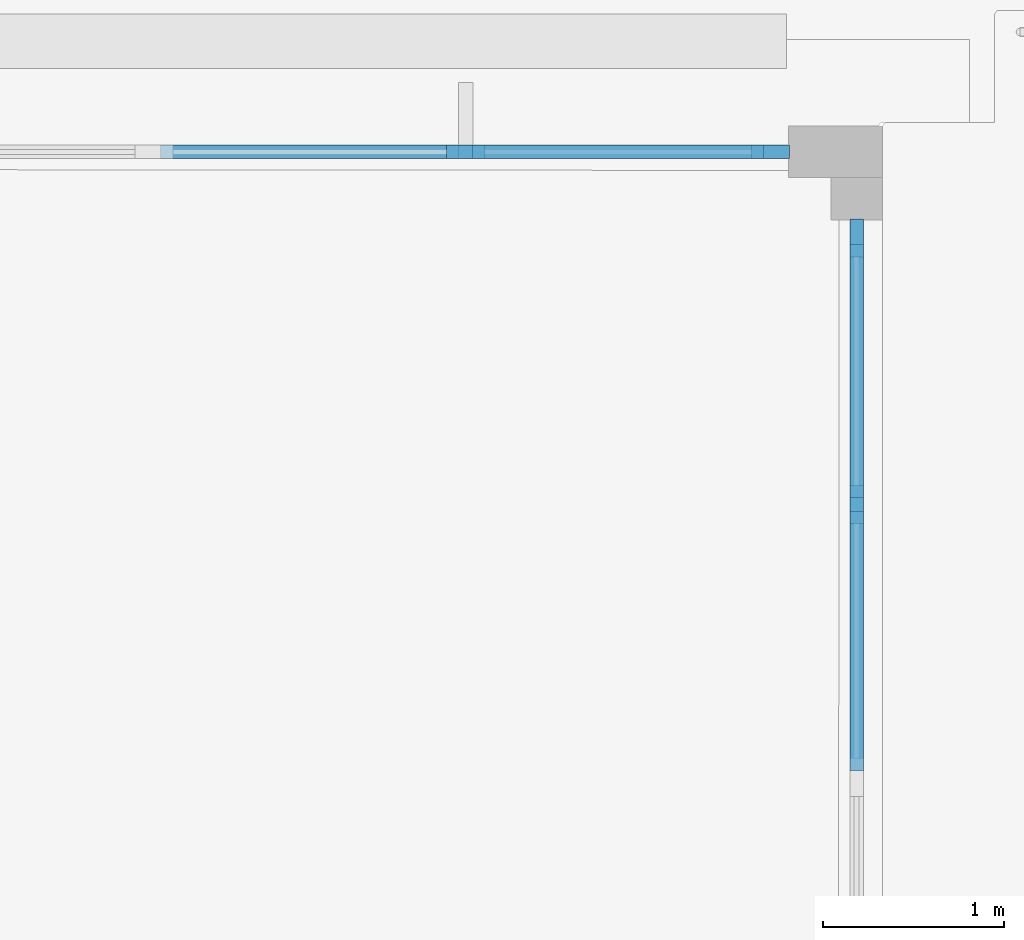
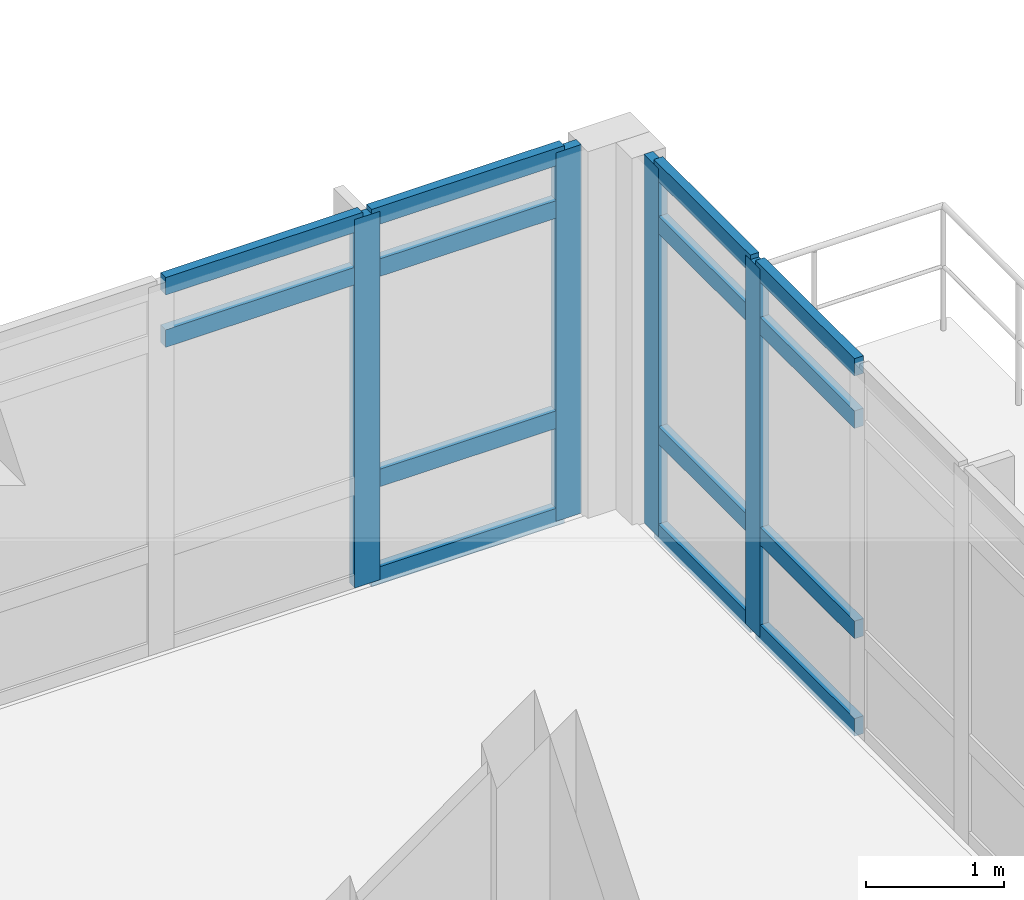
# One storey, part 19 of 67: 18 members, 2 elements without a shape of their own.
"""IFC4 building model written with IfcOpenShell, lengths in metres."""

from ifc_helpers import new_model, si_unit, direction, frame, origin, origin_2d, place, context, subcontext, project, spatial, rectangle, extrude, material, layer, layer_set, material_profile, profile_set, type_object, element, aggregate, save


model = new_model("IFC4")

# Units and contexts
model_context = context("Model", 3, precision=1e-05, world=origin(), true_north=direction((0.0, 1.0)))
body_context = subcontext(model_context, "Body", "Model", "MODEL_VIEW")
ifc_project = project(units=[si_unit("LENGTHUNIT", "METRE"), si_unit("AREAUNIT", "SQUARE_METRE"), si_unit("VOLUMEUNIT", "CUBIC_METRE"), si_unit("PLANEANGLEUNIT", "RADIAN"), si_unit("MASSUNIT", "GRAM", prefix="KILO")], contexts=[model_context])

# Site, building, storey
site_placement = place(None, origin())
site = spatial("IfcSite", under=ifc_project, at=site_placement, CompositionType="ELEMENT")
building_placement = place(site_placement, origin())
building = spatial("IfcBuilding", under=site, at=building_placement, Name="Solenvale Faculty of Natural Sciences", CompositionType="ELEMENT")
storey_placement = place(building_placement, frame((0.0, 0.0, 13.5)))
storey = spatial("IfcBuildingStorey", under=building, at=storey_placement, Name="L03", CompositionType="ELEMENT", Elevation=13.5)

# Curtain wall, members
ifc_material = material(Name="Anodised bronze aluminium", Category="aluminium")
ifc_layer = layer(ifc_material, 0.199951171875)
ifc_layer_set = layer_set([ifc_layer], Name="Anodised bronze aluminium")
curtain_wall_type = type_object("IfcCurtainWallType", Name="CW-COM-FIN", PredefinedType="USERDEFINED", material=ifc_layer_set)
curtain_wall_1_placement = place(storey_placement, origin())
curtain_wall_1 = element("IfcCurtainWall", 1, at=curtain_wall_1_placement, inside=storey, type_object=curtain_wall_type, Name="L03 Curtain Wall CW-L03-P2-E2-B2", ObjectType="UNITISED CURTAIN WALL", PredefinedType="USERDEFINED")
ifc_material_profile_1 = material_profile(ifc_material, rectangle(XDim=0.074951171875, YDim=0.2099609375, at=origin_2d()), Name="ALU-MUL-75x210")
ifc_profile_set_1 = profile_set([ifc_material_profile_1], Name="Anodised bronze aluminium")
member_type_1 = type_object("IfcMemberType", Name="CWM-ALU-75x210", PredefinedType="MULLION", material=ifc_profile_set_1)
member_1_placement = place(storey_placement, frame((157.657470703125, 55.510009765625, 0.0), z_axis=(0.0, 0.0, 1.0), x_axis=(-1.0, 0.0, 0.0)))
member_1 = element("IfcMember", 2, at=member_1_placement, type_object=member_type_1, Name="CW-03 mullion 4", PredefinedType="MULLION", context=body_context, shape_type="SweptSolid", body=[
    extrude(rectangle(XDim=0.074951171875, YDim=0.2099609375, at=origin_2d()), origin(), (0.0, 0.0, 1.0), 3.260009765625),
])
member_2_placement = place(storey_placement, frame((157.657470703125, 56.982421875, 0.0), z_axis=(0.0, 0.0, 1.0), x_axis=(-1.0, 0.0, 0.0)))
member_2 = element("IfcMember", 3, at=member_2_placement, type_object=member_type_1, Name="CW-03 mullion 5", PredefinedType="MULLION", context=body_context, shape_type="SweptSolid", body=[
    extrude(rectangle(XDim=0.074951171875, YDim=0.2099609375, at=origin_2d()), origin(), (0.0, 0.0, 1.0), 3.260009765625),
])

curtain_wall_2_placement = place(storey_placement, origin())
curtain_wall_2 = element("IfcCurtainWall", 4, at=curtain_wall_2_placement, inside=storey, type_object=curtain_wall_type, Name="L03 Curtain Wall CW-L03-P2-E3-B1", ObjectType="UNITISED CURTAIN WALL", PredefinedType="USERDEFINED")
member_3_placement = place(storey_placement, frame((157.1826171875, 57.45751953125, 0.0), z_axis=(0.0, 0.0, 1.0), x_axis=(0.0, -1.0, 0.0)))
member_3 = element("IfcMember", 5, at=member_3_placement, type_object=member_type_1, Name="CW-03 mullion 1", PredefinedType="MULLION", context=body_context, shape_type="SweptSolid", body=[
    extrude(rectangle(XDim=0.074951171875, YDim=0.2099609375, at=origin_2d()), origin(), (0.0, 0.0, 1.0), 3.260009765625),
])
member_4_placement = place(storey_placement, frame((155.49658203125, 57.45751953125, 0.0), z_axis=(0.0, 0.0, 1.0), x_axis=(0.0, -1.0, 0.0)))
member_4 = element("IfcMember", 6, at=member_4_placement, type_object=member_type_1, Name="CW-03 mullion 2", PredefinedType="MULLION", context=body_context, shape_type="SweptSolid", body=[
    extrude(rectangle(XDim=0.074951171875, YDim=0.2099609375, at=origin_2d()), origin(), (0.0, 0.0, 1.0), 3.260009765625),
])

# Member
ifc_material_profile_2 = material_profile(ifc_material, rectangle(XDim=0.074951171875, YDim=0.155029296875, at=origin_2d()), Name="ALU-TRN-75x155")
ifc_profile_set_2 = profile_set([ifc_material_profile_2], Name="Anodised bronze aluminium")
member_type_2 = type_object("IfcMemberType", Name="CWT-ALU-75x155", PredefinedType="USERDEFINED", material=ifc_profile_set_2)
member_5_placement = place(storey_placement, frame((157.657470703125, 54.03759765625, 0.03759765625), z_axis=(0.0, 1.0, 0.0), x_axis=(-1.0, 0.0, 0.0)))
member_5 = element("IfcMember", 7, at=member_5_placement, type_object=member_type_2, Name="CW-03 transom 3.1", ObjectType="TRANSOM", PredefinedType="USERDEFINED", context=body_context, shape_type="SweptSolid", body=[
    extrude(rectangle(XDim=0.074951171875, YDim=0.155029296875, at=origin_2d()), origin(), (0.0, 0.0, 1.0), 1.434814453125),
])

member_6_placement = place(storey_placement, frame((157.657470703125, 54.03759765625, 0.89990234375), z_axis=(0.0, 1.0, 0.0), x_axis=(-1.0, 0.0, 0.0)))
member_6 = element("IfcMember", 8, at=member_6_placement, type_object=member_type_2, Name="CW-03 transom 3.2", ObjectType="TRANSOM", PredefinedType="USERDEFINED", context=body_context, shape_type="SweptSolid", body=[
    extrude(rectangle(XDim=0.074951171875, YDim=0.155029296875, at=origin_2d()), origin(), (0.0, 0.0, 1.0), 1.434814453125),
])

member_7_placement = place(storey_placement, frame((157.657470703125, 54.03759765625, 2.760009765625), z_axis=(0.0, 1.0, 0.0), x_axis=(-1.0, 0.0, 0.0)))
member_7 = element("IfcMember", 9, at=member_7_placement, type_object=member_type_2, Name="CW-03 transom 3.3", ObjectType="TRANSOM", PredefinedType="USERDEFINED", context=body_context, shape_type="SweptSolid", body=[
    extrude(rectangle(XDim=0.074951171875, YDim=0.155029296875, at=origin_2d()), origin(), (0.0, 0.0, 1.0), 1.434814453125),
])

member_8_placement = place(storey_placement, frame((157.657470703125, 54.03759765625, 3.222412109375), z_axis=(0.0, 1.0, 0.0), x_axis=(-1.0, 0.0, 0.0)))
member_8 = element("IfcMember", 10, at=member_8_placement, type_object=member_type_2, Name="CW-03 transom 3.4", ObjectType="TRANSOM", PredefinedType="USERDEFINED", context=body_context, shape_type="SweptSolid", body=[
    extrude(rectangle(XDim=0.074951171875, YDim=0.155029296875, at=origin_2d()), origin(), (0.0, 0.0, 1.0), 1.434814453125),
])

member_9_placement = place(storey_placement, frame((157.657470703125, 55.547607421875, 0.03759765625), z_axis=(0.0, 1.0, 0.0), x_axis=(-1.0, 0.0, 0.0)))
member_9 = element("IfcMember", 11, at=member_9_placement, type_object=member_type_2, Name="CW-03 transom 4.1", ObjectType="TRANSOM", PredefinedType="USERDEFINED", context=body_context, shape_type="SweptSolid", body=[
    extrude(rectangle(XDim=0.074951171875, YDim=0.155029296875, at=origin_2d()), origin(), (0.0, 0.0, 1.0), 1.3974609375),
])

member_10_placement = place(storey_placement, frame((157.657470703125, 55.547607421875, 0.89990234375), z_axis=(0.0, 1.0, 0.0), x_axis=(-1.0, 0.0, 0.0)))
member_10 = element("IfcMember", 12, at=member_10_placement, type_object=member_type_2, Name="CW-03 transom 4.2", ObjectType="TRANSOM", PredefinedType="USERDEFINED", context=body_context, shape_type="SweptSolid", body=[
    extrude(rectangle(XDim=0.074951171875, YDim=0.155029296875, at=origin_2d()), origin(), (0.0, 0.0, 1.0), 1.3974609375),
])

member_11_placement = place(storey_placement, frame((157.657470703125, 55.547607421875, 2.760009765625), z_axis=(0.0, 1.0, 0.0), x_axis=(-1.0, 0.0, 0.0)))
member_11 = element("IfcMember", 13, at=member_11_placement, type_object=member_type_2, Name="CW-03 transom 4.3", ObjectType="TRANSOM", PredefinedType="USERDEFINED", context=body_context, shape_type="SweptSolid", body=[
    extrude(rectangle(XDim=0.074951171875, YDim=0.155029296875, at=origin_2d()), origin(), (0.0, 0.0, 1.0), 1.3974609375),
])

member_12_placement = place(storey_placement, frame((157.657470703125, 55.547607421875, 3.222412109375), z_axis=(0.0, 1.0, 0.0), x_axis=(-1.0, 0.0, 0.0)))
member_12 = element("IfcMember", 14, at=member_12_placement, type_object=member_type_2, Name="CW-03 transom 4.4", ObjectType="TRANSOM", PredefinedType="USERDEFINED", context=body_context, shape_type="SweptSolid", body=[
    extrude(rectangle(XDim=0.074951171875, YDim=0.155029296875, at=origin_2d()), origin(), (0.0, 0.0, 1.0), 1.3974609375),
])

aggregate(curtain_wall_1, [member_1, member_2, member_5, member_6, member_7, member_8, member_9, member_10, member_11, member_12])

member_13_placement = place(storey_placement, frame((157.14501953125, 57.45751953125, 0.03759765625), z_axis=(-1.0, 0.0, 0.0), x_axis=(0.0, -1.0, 0.0)))
member_13 = element("IfcMember", 15, at=member_13_placement, type_object=member_type_2, Name="CW-03 transom 1.1", ObjectType="TRANSOM", PredefinedType="USERDEFINED", context=body_context, shape_type="SweptSolid", body=[
    extrude(rectangle(XDim=0.074951171875, YDim=0.155029296875, at=origin_2d()), origin(), (0.0, 0.0, 1.0), 1.61083984375),
])

member_14_placement = place(storey_placement, frame((157.14501953125, 57.45751953125, 0.89990234375), z_axis=(-1.0, 0.0, 0.0), x_axis=(0.0, -1.0, 0.0)))
member_14 = element("IfcMember", 16, at=member_14_placement, type_object=member_type_2, Name="CW-03 transom 1.2", ObjectType="TRANSOM", PredefinedType="USERDEFINED", context=body_context, shape_type="SweptSolid", body=[
    extrude(rectangle(XDim=0.074951171875, YDim=0.155029296875, at=origin_2d()), origin(), (0.0, 0.0, 1.0), 1.61083984375),
])

member_15_placement = place(storey_placement, frame((157.14501953125, 57.45751953125, 2.760009765625), z_axis=(-1.0, 0.0, 0.0), x_axis=(0.0, -1.0, 0.0)))
member_15 = element("IfcMember", 17, at=member_15_placement, type_object=member_type_2, Name="CW-03 transom 1.3", ObjectType="TRANSOM", PredefinedType="USERDEFINED", context=body_context, shape_type="SweptSolid", body=[
    extrude(rectangle(XDim=0.074951171875, YDim=0.155029296875, at=origin_2d()), origin(), (0.0, 0.0, 1.0), 1.61083984375),
])

member_16_placement = place(storey_placement, frame((157.14501953125, 57.45751953125, 3.222412109375), z_axis=(-1.0, 0.0, 0.0), x_axis=(0.0, -1.0, 0.0)))
member_16 = element("IfcMember", 18, at=member_16_placement, type_object=member_type_2, Name="CW-03 transom 1.4", ObjectType="TRANSOM", PredefinedType="USERDEFINED", context=body_context, shape_type="SweptSolid", body=[
    extrude(rectangle(XDim=0.074951171875, YDim=0.155029296875, at=origin_2d()), origin(), (0.0, 0.0, 1.0), 1.61083984375),
])

member_17_placement = place(storey_placement, frame((155.459228515625, 57.45751953125, 2.760009765625), z_axis=(-1.0, 0.0, 0.0), x_axis=(0.0, -1.0, 0.0)))
member_17 = element("IfcMember", 19, at=member_17_placement, type_object=member_type_2, Name="CW-03 transom 2.3", ObjectType="TRANSOM", PredefinedType="USERDEFINED", context=body_context, shape_type="SweptSolid", body=[
    extrude(rectangle(XDim=0.074951171875, YDim=0.155029296875, at=origin_2d()), origin(), (0.0, 0.0, 1.0), 1.6484375),
])

member_18_placement = place(storey_placement, frame((155.459228515625, 57.45751953125, 3.222412109375), z_axis=(-1.0, 0.0, 0.0), x_axis=(0.0, -1.0, 0.0)))
member_18 = element("IfcMember", 20, at=member_18_placement, type_object=member_type_2, Name="CW-03 transom 2.4", ObjectType="TRANSOM", PredefinedType="USERDEFINED", context=body_context, shape_type="SweptSolid", body=[
    extrude(rectangle(XDim=0.074951171875, YDim=0.155029296875, at=origin_2d()), origin(), (0.0, 0.0, 1.0), 1.6484375),
])

aggregate(curtain_wall_2, [member_3, member_4, member_13, member_14, member_15, member_16, member_17, member_18])

save(model, "model.ifc")
